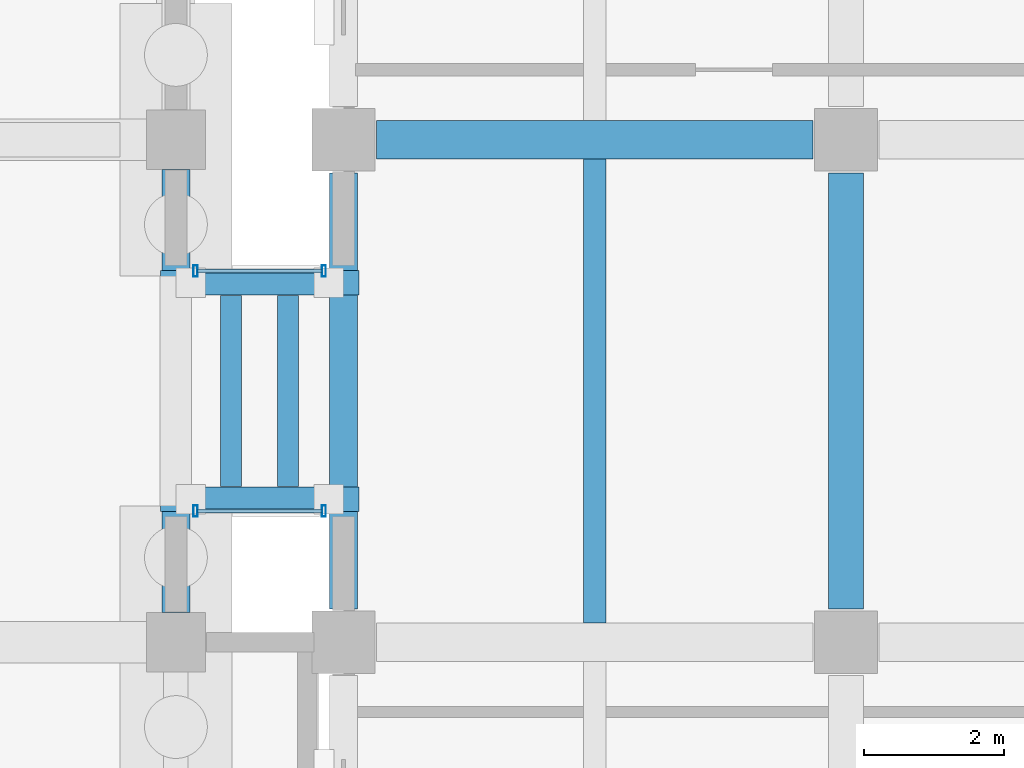
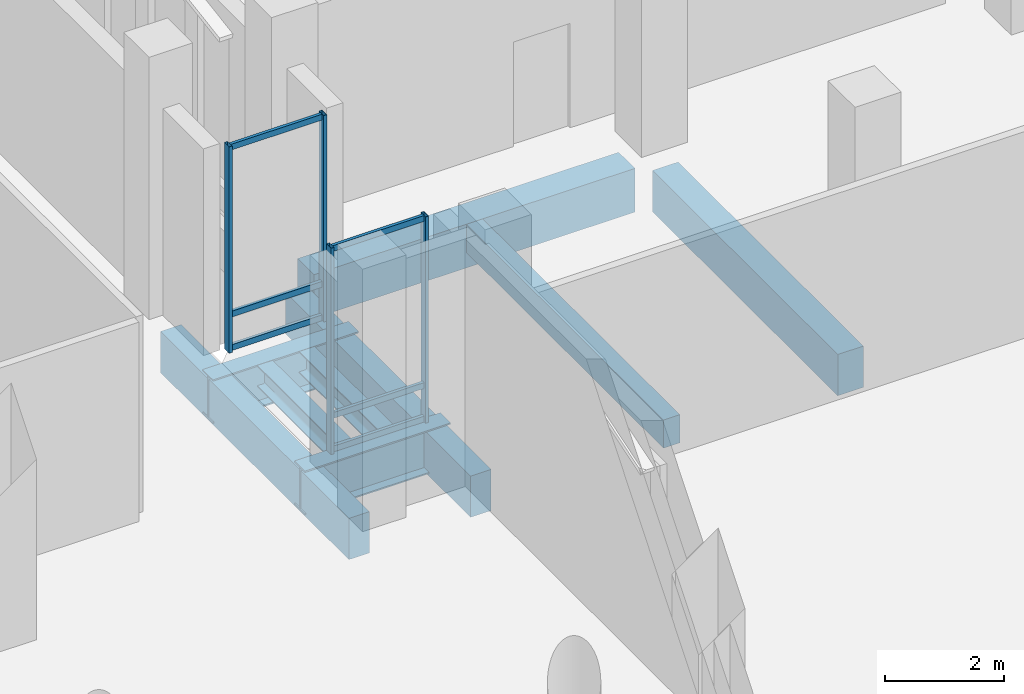
# One storey, part 76 of 192: 10 members, 9 beams, 2 elements without a shape of their own.
"""IFC4 building model written with IfcOpenShell, lengths in metres."""

from ifc_helpers import new_model, si_unit, direction, frame, origin, origin_2d, place, context, subcontext, project, spatial, rectangle, hollow_rectangle, i_section, extrude, material, material_profile, profile_set, type_object, element, aggregate, save


model = new_model("IFC4")

# Units and contexts
model_context = context("Model", 3, precision=1e-05, world=origin(), true_north=direction((0.0, 1.0)))
body_context = subcontext(model_context, "Body", "Model", "MODEL_VIEW")
ifc_project = project(units=[si_unit("LENGTHUNIT", "METRE"), si_unit("AREAUNIT", "SQUARE_METRE"), si_unit("VOLUMEUNIT", "CUBIC_METRE"), si_unit("PLANEANGLEUNIT", "RADIAN"), si_unit("MASSUNIT", "GRAM", prefix="KILO")], contexts=[model_context])

# Site, building, storey
site_placement = place(None, origin())
site = spatial("IfcSite", under=ifc_project, at=site_placement, CompositionType="ELEMENT")
building_placement = place(site_placement, origin())
building = spatial("IfcBuilding", under=site, at=building_placement, Name="Cendralis Lancet Convention Centre", CompositionType="ELEMENT")
storey_placement = place(building_placement, origin())
storey = spatial("IfcBuildingStorey", under=building, at=storey_placement, Name="L00", CompositionType="ELEMENT", Elevation=0.0)

# Curtain wall, members
ifc_material_1 = material(Name="Anodised bronze architectural aluminium", Category="aluminium")
curtain_wall_type = type_object("IfcCurtainWallType", Name="ARC-CW-BR01", PredefinedType="USERDEFINED", material=ifc_material_1)
curtain_wall_1_placement = place(storey_placement, origin())
curtain_wall_1 = element("IfcCurtainWall", 1, at=curtain_wall_1_placement, inside=storey, type_object=curtain_wall_type, Name="L00 Curtain Wall CW-BR1 #201", ObjectType="CURTAIN WALL", PredefinedType="USERDEFINED")
ifc_material_profile_1 = material_profile(ifc_material_1, hollow_rectangle(XDim=0.06005859375, YDim=0.159912109375, WallThickness=0.00390625, at=origin_2d()), Name="AL-MULL 60x160x4.0")
ifc_profile_set_1 = profile_set([ifc_material_profile_1], Name="Anodised bronze architectural aluminium")
member_type_1 = type_object("IfcMemberType", Name="ARC-CW-ML01", PredefinedType="MULLION", material=ifc_profile_set_1)
member_1_placement = place(storey_placement, frame((129.8798828125, 16.280029296875, 0.0), z_axis=(0.0, 0.0, 1.0), x_axis=(1.0, 0.0, 0.0)))
member_1 = element("IfcMember", 2, at=member_1_placement, type_object=member_type_1, Name="Mullion CW2-CW-BR1-L00-201-M0", PredefinedType="MULLION", context=body_context, shape_type="SweptSolid", body=[
    extrude(hollow_rectangle(XDim=0.06005859375, YDim=0.159912109375, WallThickness=0.00390625, at=origin_2d()), origin(), (0.0, 0.0, 1.0), 4.25),
])
member_2_placement = place(storey_placement, frame((131.719970703125, 16.280029296875, 0.0), z_axis=(0.0, 0.0, 1.0), x_axis=(1.0, 0.0, 0.0)))
member_2 = element("IfcMember", 3, at=member_2_placement, type_object=member_type_1, Name="Mullion CW2-CW-BR1-L00-201-M1", PredefinedType="MULLION", context=body_context, shape_type="SweptSolid", body=[
    extrude(hollow_rectangle(XDim=0.06005859375, YDim=0.159912109375, WallThickness=0.00390625, at=origin_2d()), origin(), (0.0, 0.0, 1.0), 4.25),
])

curtain_wall_2_placement = place(storey_placement, origin())
curtain_wall_2 = element("IfcCurtainWall", 4, at=curtain_wall_2_placement, inside=storey, type_object=curtain_wall_type, Name="L00 Curtain Wall CW-BR1 #202", ObjectType="CURTAIN WALL", PredefinedType="USERDEFINED")
member_3_placement = place(storey_placement, frame((129.8798828125, 19.719970703125, 0.0), z_axis=(0.0, 0.0, 1.0), x_axis=(1.0, 0.0, 0.0)))
member_3 = element("IfcMember", 5, at=member_3_placement, type_object=member_type_1, Name="Mullion CW2-CW-BR1-L00-202-M0", PredefinedType="MULLION", context=body_context, shape_type="SweptSolid", body=[
    extrude(hollow_rectangle(XDim=0.06005859375, YDim=0.159912109375, WallThickness=0.00390625, at=origin_2d()), origin(), (0.0, 0.0, 1.0), 4.25),
])
member_4_placement = place(storey_placement, frame((131.719970703125, 19.719970703125, 0.0), z_axis=(0.0, 0.0, 1.0), x_axis=(1.0, 0.0, 0.0)))
member_4 = element("IfcMember", 6, at=member_4_placement, type_object=member_type_1, Name="Mullion CW2-CW-BR1-L00-202-M1", PredefinedType="MULLION", context=body_context, shape_type="SweptSolid", body=[
    extrude(hollow_rectangle(XDim=0.06005859375, YDim=0.159912109375, WallThickness=0.00390625, at=origin_2d()), origin(), (0.0, 0.0, 1.0), 4.25),
])

# Member
ifc_material_profile_2 = material_profile(ifc_material_1, hollow_rectangle(XDim=0.06005859375, YDim=0.1201171875, WallThickness=0.00390625, at=origin_2d()), Name="AL-TRAN 60x120x4.0")
ifc_profile_set_2 = profile_set([ifc_material_profile_2], Name="Anodised bronze architectural aluminium")
member_type_2 = type_object("IfcMemberType", Name="ARC-CW-TR01", PredefinedType="USERDEFINED", material=ifc_profile_set_2)
member_5_placement = place(storey_placement, frame((129.909912109375, 16.280029296875, 0.06005859375), z_axis=(1.0, 0.0, 0.0), x_axis=(0.0, 1.0, 0.0)))
member_5 = element("IfcMember", 7, at=member_5_placement, type_object=member_type_2, Name="Transom CW2-CW-BR1-L00-201-T0BOT", ObjectType="TRANSOM", PredefinedType="USERDEFINED", context=body_context, shape_type="SweptSolid", body=[
    extrude(hollow_rectangle(XDim=0.06005859375, YDim=0.1201171875, WallThickness=0.00390625, at=origin_2d()), origin(), (0.0, 0.0, 1.0), 1.780029296875),
])

member_6_placement = place(storey_placement, frame((129.909912109375, 16.280029296875, 0.75), z_axis=(1.0, 0.0, 0.0), x_axis=(0.0, 1.0, 0.0)))
member_6 = element("IfcMember", 8, at=member_6_placement, type_object=member_type_2, Name="Transom CW2-CW-BR1-L00-201-T0MID", ObjectType="TRANSOM", PredefinedType="USERDEFINED", context=body_context, shape_type="SweptSolid", body=[
    extrude(hollow_rectangle(XDim=0.06005859375, YDim=0.1201171875, WallThickness=0.00390625, at=origin_2d()), origin(), (0.0, 0.0, 1.0), 1.780029296875),
])

member_7_placement = place(storey_placement, frame((129.909912109375, 16.280029296875, 4.18994140625), z_axis=(1.0, 0.0, 0.0), x_axis=(0.0, 1.0, 0.0)))
member_7 = element("IfcMember", 9, at=member_7_placement, type_object=member_type_2, Name="Transom CW2-CW-BR1-L00-201-T0TOP", ObjectType="TRANSOM", PredefinedType="USERDEFINED", context=body_context, shape_type="SweptSolid", body=[
    extrude(hollow_rectangle(XDim=0.06005859375, YDim=0.1201171875, WallThickness=0.00390625, at=origin_2d()), origin(), (0.0, 0.0, 1.0), 1.780029296875),
])

aggregate(curtain_wall_1, [member_1, member_2, member_5, member_6, member_7])

member_8_placement = place(storey_placement, frame((129.909912109375, 19.719970703125, 0.06005859375), z_axis=(1.0, 0.0, 0.0), x_axis=(0.0, 1.0, 0.0)))
member_8 = element("IfcMember", 10, at=member_8_placement, type_object=member_type_2, Name="Transom CW2-CW-BR1-L00-202-T0BOT", ObjectType="TRANSOM", PredefinedType="USERDEFINED", context=body_context, shape_type="SweptSolid", body=[
    extrude(hollow_rectangle(XDim=0.06005859375, YDim=0.1201171875, WallThickness=0.00390625, at=origin_2d()), origin(), (0.0, 0.0, 1.0), 1.780029296875),
])

member_9_placement = place(storey_placement, frame((129.909912109375, 19.719970703125, 0.75), z_axis=(1.0, 0.0, 0.0), x_axis=(0.0, 1.0, 0.0)))
member_9 = element("IfcMember", 11, at=member_9_placement, type_object=member_type_2, Name="Transom CW2-CW-BR1-L00-202-T0MID", ObjectType="TRANSOM", PredefinedType="USERDEFINED", context=body_context, shape_type="SweptSolid", body=[
    extrude(hollow_rectangle(XDim=0.06005859375, YDim=0.1201171875, WallThickness=0.00390625, at=origin_2d()), origin(), (0.0, 0.0, 1.0), 1.780029296875),
])

member_10_placement = place(storey_placement, frame((129.909912109375, 19.719970703125, 4.18994140625), z_axis=(1.0, 0.0, 0.0), x_axis=(0.0, 1.0, 0.0)))
member_10 = element("IfcMember", 12, at=member_10_placement, type_object=member_type_2, Name="Transom CW2-CW-BR1-L00-202-T0TOP", ObjectType="TRANSOM", PredefinedType="USERDEFINED", context=body_context, shape_type="SweptSolid", body=[
    extrude(hollow_rectangle(XDim=0.06005859375, YDim=0.1201171875, WallThickness=0.00390625, at=origin_2d()), origin(), (0.0, 0.0, 1.0), 1.780029296875),
])

aggregate(curtain_wall_2, [member_3, member_4, member_8, member_9, member_10])

# Beams
ifc_material_2 = material(Name="Concrete G40 (C40/50)", Category="concrete")
ifc_material_profile_3 = material_profile(ifc_material_2, rectangle(XDim=0.550048828125, YDim=0.89990234375, at=origin_2d()), Name="RCB 550x900")
ifc_profile_set_3 = profile_set([ifc_material_profile_3], Name="Concrete G40 (C40/50)")
beam_type_1 = type_object("IfcBeamType", Name="STR-BM-BG06", PredefinedType="BEAM", material=ifc_profile_set_3)
beam_1_placement = place(storey_placement, frame((132.47509765625, 21.60009765625, -0.77001953125), z_axis=(1.0, 0.0, 0.0), x_axis=(0.0, 1.0, 0.0)))
element("IfcBeam", 13, at=beam_1_placement, inside=storey, type_object=beam_type_1, Name="L00 Beam BG06 #0021", PredefinedType="BEAM", context=body_context, shape_type="SweptSolid", body=[
    extrude(rectangle(XDim=0.550048828125, YDim=0.89990234375, at=origin_2d()), origin(), (0.0, 0.0, 1.0), 6.25),
])
ifc_material_3 = material(Name="Concrete G35 (C35/45)", Category="concrete")
ifc_material_profile_4 = material_profile(ifc_material_3, rectangle(XDim=0.5, YDim=0.85009765625, at=origin_2d()), Name="RCB 500x850")
ifc_profile_set_4 = profile_set([ifc_material_profile_4], Name="Concrete G35 (C35/45)")
beam_type_2 = type_object("IfcBeamType", Name="STR-BM-BG08", PredefinedType="BEAM", material=ifc_profile_set_4)
beam_2_placement = place(storey_placement, frame((139.199951171875, 14.875, -0.7451171875), z_axis=(0.0, 1.0, 0.0), x_axis=(-1.0, 0.0, 0.0)))
element("IfcBeam", 14, at=beam_2_placement, inside=storey, type_object=beam_type_2, Name="L00 Beam BG08 #0056", PredefinedType="BEAM", context=body_context, shape_type="SweptSolid", body=[
    extrude(rectangle(XDim=0.5, YDim=0.85009765625, at=origin_2d()), origin(), (0.0, 0.0, 1.0), 6.25),
])
ifc_material_4 = material(Name="Steel S355", Category="steel")
ifc_material_profile_5 = material_profile(ifc_material_4, i_section(OverallWidth=0.35009765625, OverallDepth=0.89990234375, WebThickness=0.01611328125, FlangeThickness=0.028076171875, at=origin_2d()), Name="PG 900x350")
ifc_profile_set_5 = profile_set([ifc_material_profile_5], Name="Steel S355")
beam_type_3 = type_object("IfcBeamType", Name="STR-BM-SG05", PredefinedType="BEAM", material=ifc_profile_set_5)
for number, where, z_axis, x_axis, name in (
    (15, (129.3798828125, 16.449951171875, -0.669921875), (1.0, 0.0, 0.0), (0.0, 1.0, 0.0), "L00 Beam SG05 #1900"),
    (16, (129.3798828125, 19.550048828125, -0.669921875), (1.0, 0.0, 0.0), (0.0, 1.0, 0.0), "L00 Beam SG05 #1901"),
):
    element("IfcBeam", number, at=place(storey_placement, frame(where, z_axis=z_axis, x_axis=x_axis)), inside=storey, type_object=beam_type_3, Name=name, PredefinedType="BEAM", context=body_context, shape_type="SweptSolid", body=[
        extrude(i_section(OverallWidth=0.35009765625, OverallDepth=0.89990234375, WebThickness=0.01611328125, FlangeThickness=0.028076171875, at=origin_2d()), origin(), (0.0, 0.0, 1.0), 2.840087890625),
    ])
ifc_material_profile_6 = material_profile(ifc_material_4, i_section(OverallWidth=0.300048828125, OverallDepth=0.43994140625, WebThickness=0.011474609375, FlangeThickness=0.02099609375, FilletRadius=0.027099609375, at=origin_2d()), Name="HEA 450")
ifc_profile_set_6 = profile_set([ifc_material_profile_6], Name="Steel S355")
beam_type_4 = type_object("IfcBeamType", Name="STR-BM-SG13", PredefinedType="BEAM", material=ifc_profile_set_6)
for number, where, z_axis, x_axis, name in (
    (17, (130.39208984375, 16.6298828125, -0.43994140625), (0.0, 1.0, 0.0), (-1.0, 0.0, 0.0), "L00 Beam SG13 #1902"),
    (18, (131.2080078125, 16.6298828125, -0.43994140625), (0.0, 1.0, 0.0), (-1.0, 0.0, 0.0), "L00 Beam SG13 #1903"),
):
    element("IfcBeam", number, at=place(storey_placement, frame(where, z_axis=z_axis, x_axis=x_axis)), inside=storey, type_object=beam_type_4, Name=name, PredefinedType="BEAM", context=body_context, shape_type="SweptSolid", body=[
        extrude(i_section(OverallWidth=0.300048828125, OverallDepth=0.43994140625, WebThickness=0.011474609375, FlangeThickness=0.02099609375, FilletRadius=0.027099609375, at=origin_2d()), origin(), (0.0, 0.0, 1.0), 2.740234375),
    ])
ifc_material_profile_7 = material_profile(ifc_material_3, rectangle(XDim=0.320068359375, YDim=0.580078125, at=origin_2d()), Name="RCB 320x580")
ifc_profile_set_7 = profile_set([ifc_material_profile_7], Name="Concrete G35 (C35/45)")
beam_type_5 = type_object("IfcBeamType", Name="STR-JS-BJ01", PredefinedType="JOIST", material=ifc_profile_set_7)
beam_3_placement = place(storey_placement, frame((135.60009765625, 14.675048828125, -0.610107421875), z_axis=(0.0, 1.0, 0.0), x_axis=(-1.0, 0.0, 0.0)))
element("IfcBeam", 19, at=beam_3_placement, inside=storey, type_object=beam_type_5, Name="L00 Beam BJ01 #0094", PredefinedType="JOIST", context=body_context, shape_type="SweptSolid", body=[
    extrude(rectangle(XDim=0.320068359375, YDim=0.580078125, at=origin_2d()), origin(), (0.0, 0.0, 1.0), 6.64990234375),
])
ifc_material_profile_8 = material_profile(ifc_material_2, rectangle(XDim=0.39990234375, YDim=0.85009765625, at=origin_2d()), Name="RCB 400x850")
ifc_profile_set_8 = profile_set([ifc_material_profile_8], Name="Concrete G40 (C40/50)")
beam_type_6 = type_object("IfcBeamType", Name="STR-SP-SP02", PredefinedType="SPANDREL", material=ifc_profile_set_8)
beam_4_placement = place(storey_placement, frame((132.0, 14.875, -0.7451171875), z_axis=(0.0, 1.0, 0.0), x_axis=(-1.0, 0.0, 0.0)))
element("IfcBeam", 20, at=beam_4_placement, inside=storey, type_object=beam_type_6, Name="L00 Beam SP02 #0052", PredefinedType="SPANDREL", context=body_context, shape_type="SweptSolid", body=[
    extrude(rectangle(XDim=0.39990234375, YDim=0.85009765625, at=origin_2d()), origin(), (0.0, 0.0, 1.0), 6.25),
])
beam_5_placement = place(storey_placement, frame((129.60009765625, 14.824951171875, -0.7451171875), z_axis=(0.0, 1.0, 0.0), x_axis=(-1.0, 0.0, 0.0)))
element("IfcBeam", 21, at=beam_5_placement, inside=storey, type_object=beam_type_6, Name="L00 Beam SP02 #0717", PredefinedType="SPANDREL", context=body_context, shape_type="SweptSolid", body=[
    extrude(rectangle(XDim=0.39990234375, YDim=0.85009765625, at=origin_2d()), origin(), (0.0, 0.0, 1.0), 6.35009765625),
])

save(model, "model.ifc")
